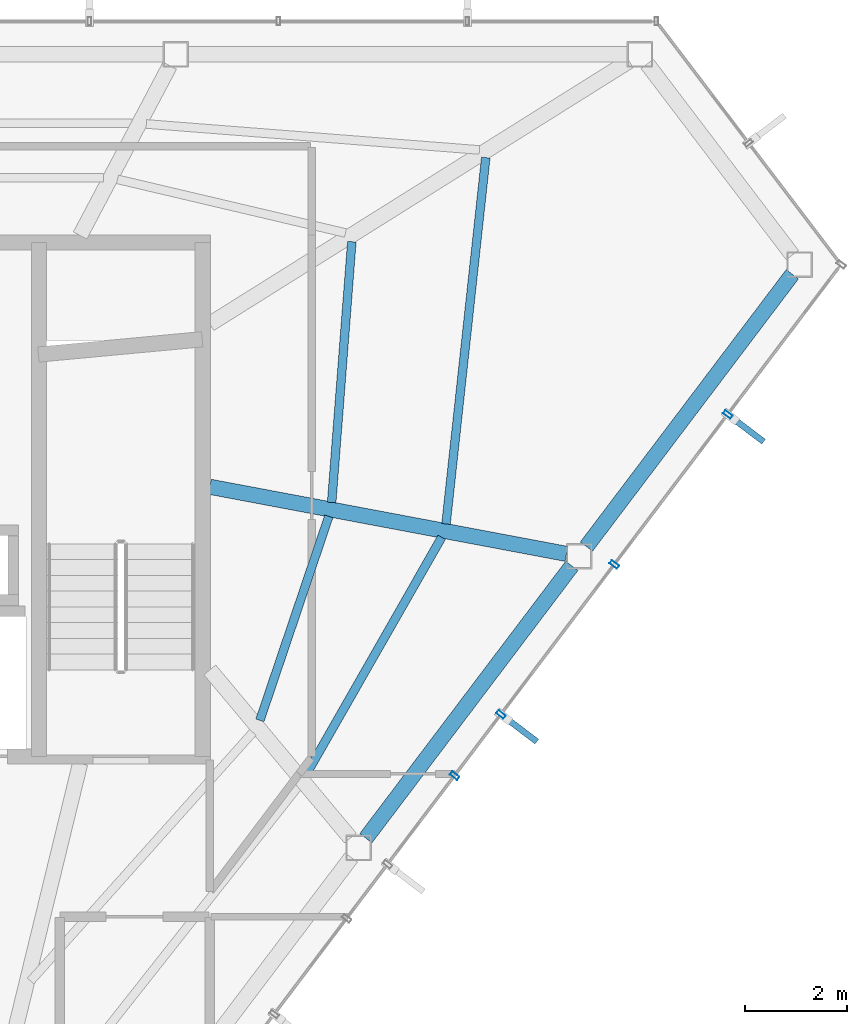
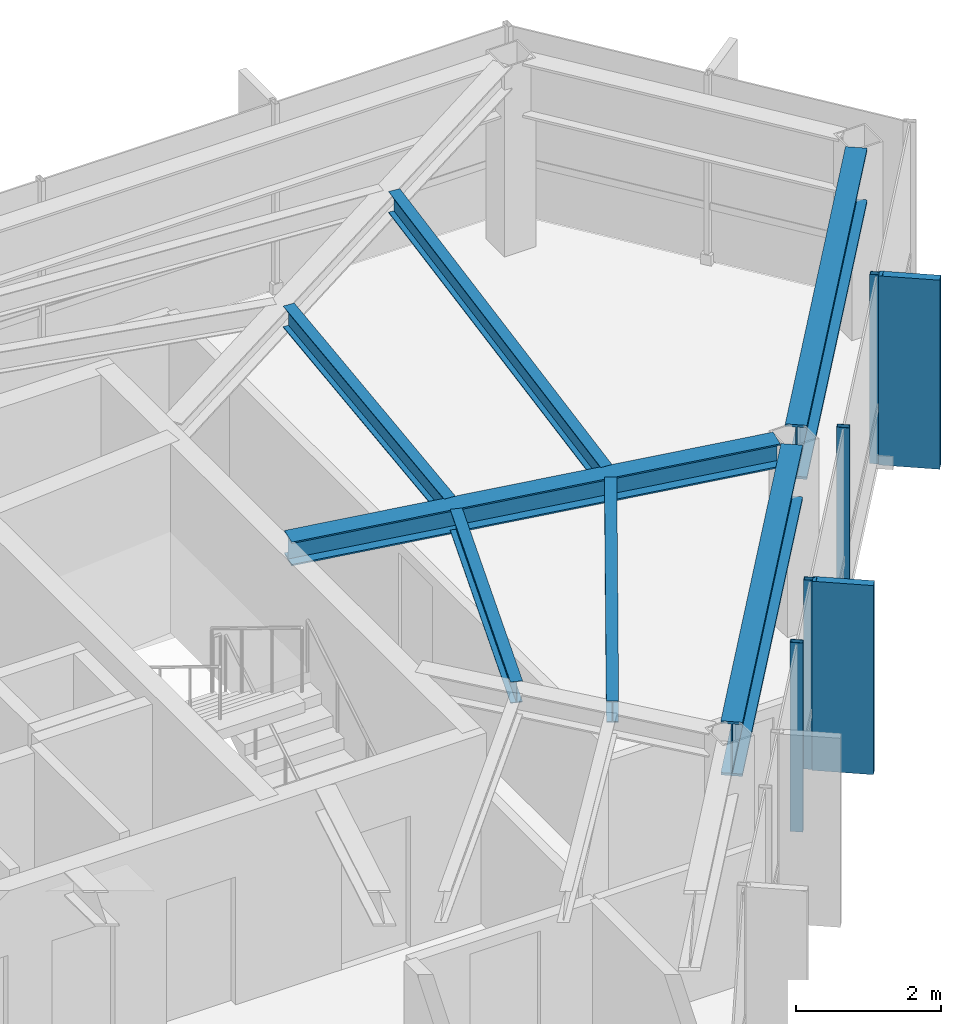
# One storey, part 17 of 24: 7 beams, 6 members, 1 element without a shape of its own.
"""IFC4 building model written with IfcOpenShell, lengths in metres."""

from ifc_helpers import new_model, si_unit, direction, frame, origin, origin_2d, place, context, subcontext, project, spatial, rectangle, hollow_rectangle, i_section, extrude, material, layer, layer_set, material_profile, profile_set, type_object, element, aggregate, save


model = new_model("IFC4")

# Units and contexts
model_context = context("Model", 3, precision=1e-05, world=origin(), true_north=direction((0.0, 1.0)))
body_context = subcontext(model_context, "Body", "Model", "MODEL_VIEW")
ifc_project = project(units=[si_unit("LENGTHUNIT", "METRE"), si_unit("AREAUNIT", "SQUARE_METRE"), si_unit("VOLUMEUNIT", "CUBIC_METRE"), si_unit("PLANEANGLEUNIT", "RADIAN"), si_unit("MASSUNIT", "GRAM", prefix="KILO")], contexts=[model_context])

# Site, building, storey
site_placement = place(None, origin())
site = spatial("IfcSite", under=ifc_project, at=site_placement, CompositionType="ELEMENT")
building_placement = place(site_placement, origin())
building = spatial("IfcBuilding", under=site, at=building_placement, Name="Zarrinselat Tower", CompositionType="ELEMENT")
storey_placement = place(building_placement, frame((0.0, 0.0, 268.60009765625)))
storey = spatial("IfcBuildingStorey", under=building, at=storey_placement, Name="L68", CompositionType="ELEMENT", Elevation=268.60009765625)

# Beams
ifc_material_1 = material(Name="Steel S355J2", Category="steel")
ifc_material_profile_1 = material_profile(ifc_material_1, i_section(OverallWidth=0.300048828125, OverallDepth=0.39990234375, WebThickness=0.013427734375, FlangeThickness=0.02392578125, at=origin_2d()), Name="HEB 400")
ifc_profile_set_1 = profile_set([ifc_material_profile_1], Name="Steel S355J2")
beam_type_1 = type_object("IfcBeamType", Name="BM-HEB400", PredefinedType="BEAM", material=ifc_profile_set_1)
beam_1_placement = place(storey_placement, frame((48.35009765625, 38.60009765625, 2.97998046875), z_axis=(0.982752250511, -0.184927050796, 0.0), x_axis=(0.184927050796, 0.982752250511, 0.0)))
element("IfcBeam", 1, at=beam_1_placement, inside=storey, type_object=beam_type_1, Name="L68 Radial Primary Girder RG14", PredefinedType="BEAM", context=body_context, shape_type="SweptSolid", body=[
    extrude(i_section(OverallWidth=0.300048828125, OverallDepth=0.39990234375, WebThickness=0.013427734375, FlangeThickness=0.02392578125, at=origin_2d()), origin(), (0.0, 0.0, 1.0), 7.133056640625),
])
ifc_material_2 = material(Name="Steel S460M", Category="steel")
ifc_material_profile_2 = material_profile(ifc_material_2, i_section(OverallWidth=0.302001953125, OverallDepth=0.909912109375, WebThickness=0.02099609375, FlangeThickness=0.0400390625, at=origin_2d()), Name="HEM 900")
ifc_profile_set_2 = profile_set([ifc_material_profile_2], Name="Steel S460M")
beam_type_2 = type_object("IfcBeamType", Name="BM-HEM900", PredefinedType="BEAM", material=ifc_profile_set_2)
beam_2_placement = place(storey_placement, frame((51.416748046875, 31.692138671875, 2.724853515625), z_axis=(0.603161908748, 0.797618776005, 0.0), x_axis=(-0.797618776005, 0.603161908748, 0.0)))
element("IfcBeam", 2, at=beam_2_placement, inside=storey, type_object=beam_type_2, Name="L68 Perimeter Spandrel Girder SP13", PredefinedType="BEAM", context=body_context, shape_type="SweptSolid", body=[
    extrude(i_section(OverallWidth=0.302001953125, OverallDepth=0.909912109375, WebThickness=0.02099609375, FlangeThickness=0.0400390625, at=origin_2d()), origin(), (0.0, 0.0, 1.0), 6.710693359375),
])
beam_3_placement = place(storey_placement, frame((55.75146484375, 37.42431640625, 2.724853515625), z_axis=(0.603179411803, 0.797605539836, 0.0), x_axis=(-0.797605539836, 0.603179411803, 0.0)))
element("IfcBeam", 3, at=beam_3_placement, inside=storey, type_object=beam_type_2, Name="L68 Perimeter Spandrel Girder SP14", PredefinedType="BEAM", context=body_context, shape_type="SweptSolid", body=[
    extrude(i_section(OverallWidth=0.302001953125, OverallDepth=0.909912109375, WebThickness=0.02099609375, FlangeThickness=0.0400390625, at=origin_2d()), origin(), (0.0, 0.0, 1.0), 6.71044921875),
])
ifc_material_3 = material(Name="Steel S355J2", Category="steel")
ifc_material_profile_3 = material_profile(ifc_material_3, i_section(OverallWidth=0.169921875, OverallDepth=0.360107421875, WebThickness=0.008056640625, FlangeThickness=0.0126953125, at=origin_2d()), Name="IPE 360")
ifc_profile_set_3 = profile_set([ifc_material_profile_3], Name="Steel S355J2")
beam_type_3 = type_object("IfcBeamType", Name="BM-IPE360", PredefinedType="JOIST", material=ifc_profile_set_3)
beam_4_placement = place(storey_placement, frame((50.2421875, 32.940673828125, 3.0), z_axis=(0.495864962839, 0.868399642232, 0.0), x_axis=(-0.868399642232, 0.495864962839, 0.0)))
element("IfcBeam", 4, at=beam_4_placement, inside=storey, type_object=beam_type_3, Name="L68 Composite Floor Joist 4-1", PredefinedType="JOIST", context=body_context, shape_type="SweptSolid", body=[
    extrude(i_section(OverallWidth=0.169921875, OverallDepth=0.360107421875, WebThickness=0.008056640625, FlangeThickness=0.0126953125, at=origin_2d()), origin(), (0.0, 0.0, 1.0), 5.37451171875),
])
beam_5_placement = place(storey_placement, frame((49.333740234375, 34.00927734375, 3.0), z_axis=(0.320153423904, 0.947365708247, 0.0), x_axis=(-0.947365708247, 0.320153423904, 0.0)))
element("IfcBeam", 5, at=beam_5_placement, inside=storey, type_object=beam_type_3, Name="L68 Composite Floor Joist 4-2", PredefinedType="JOIST", context=body_context, shape_type="SweptSolid", body=[
    extrude(i_section(OverallWidth=0.169921875, OverallDepth=0.360107421875, WebThickness=0.008056640625, FlangeThickness=0.0126953125, at=origin_2d()), origin(), (0.0, 0.0, 1.0), 4.232177734375),
])
beam_6_placement = place(storey_placement, frame((52.99169921875, 37.86865234375, 3.0), z_axis=(0.107915805749, 0.99416003685, 0.0), x_axis=(-0.99416003685, 0.107915805749, 0.0)))
element("IfcBeam", 6, at=beam_6_placement, inside=storey, type_object=beam_type_3, Name="L68 Composite Floor Joist 5-1", PredefinedType="JOIST", context=body_context, shape_type="SweptSolid", body=[
    extrude(i_section(OverallWidth=0.169921875, OverallDepth=0.360107421875, WebThickness=0.008056640625, FlangeThickness=0.0126953125, at=origin_2d()), origin(), (0.0, 0.0, 1.0), 7.243896484375),
])
beam_7_placement = place(storey_placement, frame((50.744384765625, 38.291015625, 3.0), z_axis=(0.077117723302, 0.997021994117, 0.0), x_axis=(-0.997021994117, 0.077117723302, 0.0)))
element("IfcBeam", 7, at=beam_7_placement, inside=storey, type_object=beam_type_3, Name="L68 Composite Floor Joist 5-2", PredefinedType="JOIST", context=body_context, shape_type="SweptSolid", body=[
    extrude(i_section(OverallWidth=0.169921875, OverallDepth=0.360107421875, WebThickness=0.008056640625, FlangeThickness=0.0126953125, at=origin_2d()), origin(), (0.0, 0.0, 1.0), 5.141357421875),
])

# Curtain wall, members
ifc_material_4 = material(Name="Extruded Aluminium Alloy EN AW-6063 T6", Category="aluminium")
ifc_layer = layer(ifc_material_4, 0.199951171875)
ifc_layer_set = layer_set([ifc_layer], Name="Extruded Aluminium Alloy EN AW-6063 T6")
curtain_wall_type = type_object("IfcCurtainWallType", Name="CWS-BLADE", PredefinedType="NOTDEFINED", material=ifc_layer_set)
curtain_wall_placement = place(storey_placement, origin())
curtain_wall = element("IfcCurtainWall", 8, at=curtain_wall_placement, inside=storey, type_object=curtain_wall_type, Name="L68 Unitised Curtain Wall CW-L68-E05", PredefinedType="NOTDEFINED")
ifc_material_5 = material(Name="Extruded Aluminium Alloy EN AW-6063 T6", Category="aluminium")
ifc_material_profile_4 = material_profile(ifc_material_5, hollow_rectangle(XDim=0.080078125, YDim=0.179931640625, WallThickness=0.0048828125, at=origin_2d()), Name="RHS 180x80x5")
ifc_profile_set_4 = profile_set([ifc_material_profile_4], Name="Extruded Aluminium Alloy EN AW-6063 T6")
member_type_1 = type_object("IfcMemberType", Name="MEM-CW-MUL", PredefinedType="MULLION", material=ifc_profile_set_4)
member_1_placement = place(storey_placement, frame((53.160400390625, 32.920166015625, 0.0), z_axis=(0.0, 0.0, 1.0), x_axis=(0.603169586453, 0.797612970041, 0.0)))
member_1 = element("IfcMember", 9, at=member_1_placement, type_object=member_type_1, Name="CW-L68-E05 Mullion 6", PredefinedType="MULLION", context=body_context, shape_type="SweptSolid", body=[
    extrude(hollow_rectangle(XDim=0.080078125, YDim=0.179931640625, WallThickness=0.0048828125, at=origin_2d()), origin(), (0.0, 0.0, 1.0), 3.179931640625),
])
member_2_placement = place(storey_placement, frame((54.071533203125, 34.125, 0.0), z_axis=(0.0, 0.0, 1.0), x_axis=(0.603169586453, 0.797612970041, 0.0)))
member_2 = element("IfcMember", 10, at=member_2_placement, type_object=member_type_1, Name="CW-L68-E05 Mullion 7", PredefinedType="MULLION", context=body_context, shape_type="SweptSolid", body=[
    extrude(hollow_rectangle(XDim=0.080078125, YDim=0.179931640625, WallThickness=0.0048828125, at=origin_2d()), origin(), (0.0, 0.0, 1.0), 3.179931640625),
])
member_3_placement = place(storey_placement, frame((56.30029296875, 37.072509765625, 0.0), z_axis=(0.0, 0.0, 1.0), x_axis=(0.603169586453, 0.797612970041, 0.0)))
member_3 = element("IfcMember", 11, at=member_3_placement, type_object=member_type_1, Name="CW-L68-E05 Mullion 8", PredefinedType="MULLION", context=body_context, shape_type="SweptSolid", body=[
    extrude(hollow_rectangle(XDim=0.080078125, YDim=0.179931640625, WallThickness=0.0048828125, at=origin_2d()), origin(), (0.0, 0.0, 1.0), 3.179931640625),
])
member_4_placement = place(storey_placement, frame((58.529296875, 40.02001953125, 0.0), z_axis=(0.0, 0.0, 1.0), x_axis=(0.603169586453, 0.797612970041, 0.0)))
member_4 = element("IfcMember", 12, at=member_4_placement, type_object=member_type_1, Name="CW-L68-E05 Mullion 9", PredefinedType="MULLION", context=body_context, shape_type="SweptSolid", body=[
    extrude(hollow_rectangle(XDim=0.080078125, YDim=0.179931640625, WallThickness=0.0048828125, at=origin_2d()), origin(), (0.0, 0.0, 1.0), 3.179931640625),
])
ifc_material_6 = material(Name="Honed Cream Travertine Stone", Category="masonry")
ifc_material_profile_5 = material_profile(ifc_material_6, rectangle(XDim=0.1201171875, YDim=0.85009765625, at=origin_2d()), Name="FIN 850x120")
ifc_profile_set_5 = profile_set([ifc_material_profile_5], Name="Honed Cream Travertine Stone")
member_type_2 = type_object("IfcMemberType", Name="MEM-STONE-FIN", PredefinedType="USERDEFINED", material=ifc_profile_set_5)
member_5_placement = place(storey_placement, frame((54.4384765625, 33.84765625, 0.0), z_axis=(0.0, 0.0, 1.0), x_axis=(-0.603169586453, -0.797612970041, 0.0)))
member_5 = element("IfcMember", 13, at=member_5_placement, type_object=member_type_2, Name="L68 Stone Shading Fin CW-L68-E05-07", ObjectType="FIN", PredefinedType="USERDEFINED", context=body_context, shape_type="SweptSolid", body=[
    extrude(rectangle(XDim=0.1201171875, YDim=0.85009765625, at=origin_2d()), origin(), (0.0, 0.0, 1.0), 3.179931640625),
])
member_6_placement = place(storey_placement, frame((58.896240234375, 39.742431640625, 0.0), z_axis=(0.0, 0.0, 1.0), x_axis=(-0.603169586453, -0.797612970041, 0.0)))
member_6 = element("IfcMember", 14, at=member_6_placement, type_object=member_type_2, Name="L68 Stone Shading Fin CW-L68-E05-09", ObjectType="FIN", PredefinedType="USERDEFINED", context=body_context, shape_type="SweptSolid", body=[
    extrude(rectangle(XDim=0.1201171875, YDim=0.85009765625, at=origin_2d()), origin(), (0.0, 0.0, 1.0), 3.179931640625),
])
aggregate(curtain_wall, [member_1, member_2, member_5, member_3, member_4, member_6])

save(model, "model.ifc")
